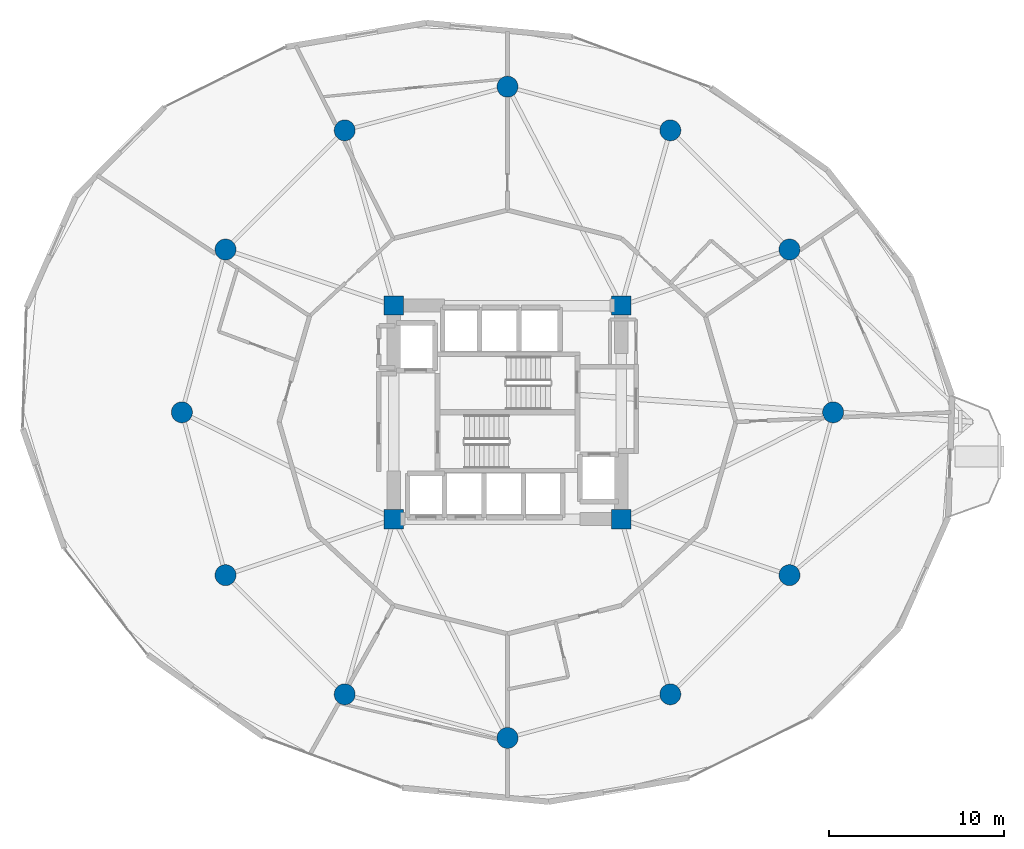
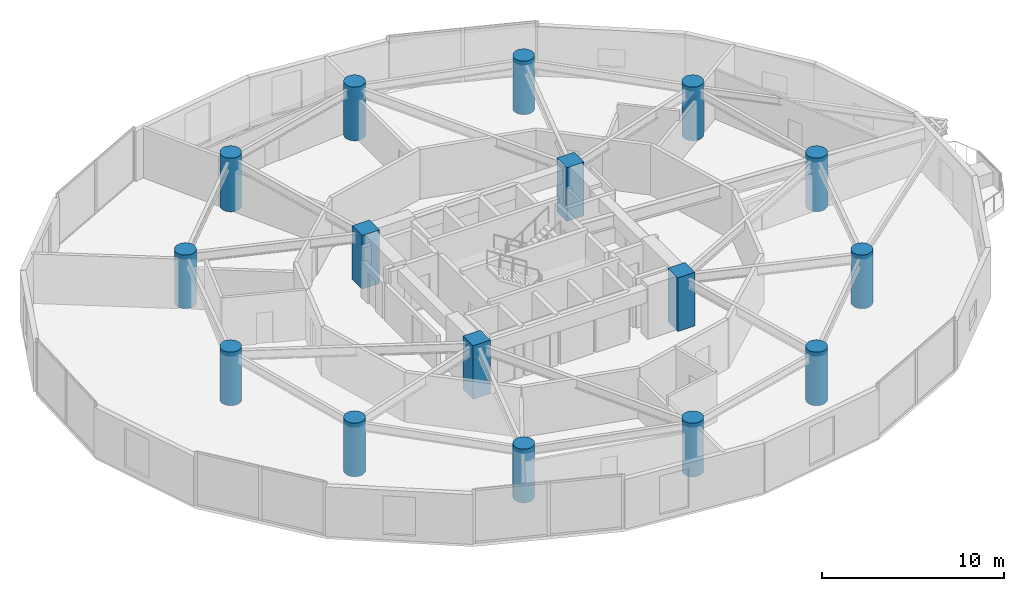
# One storey, part 1 of 22: 16 columns.
"""IFC4 building model written with IfcOpenShell, lengths in metres."""

from ifc_helpers import new_model, si_unit, direction, frame, origin, origin_2d, place, context, subcontext, project, spatial, rectangle, circle, extrude, material, material_profile, profile_set, type_object, element, save


model = new_model("IFC4")

# Units and contexts
model_context = context("Model", 3, precision=1e-05, world=origin(), true_north=direction((0.0, 1.0)))
body_context = subcontext(model_context, "Body", "Model", "MODEL_VIEW")
ifc_project = project(units=[si_unit("LENGTHUNIT", "METRE"), si_unit("AREAUNIT", "SQUARE_METRE"), si_unit("VOLUMEUNIT", "CUBIC_METRE"), si_unit("PLANEANGLEUNIT", "RADIAN"), si_unit("MASSUNIT", "GRAM", prefix="KILO")], contexts=[model_context])

# Site, building, storey
site_placement = place(None, origin())
site = spatial("IfcSite", under=ifc_project, at=site_placement, CompositionType="ELEMENT")
building_placement = place(site_placement, origin())
building = spatial("IfcBuilding", under=site, at=building_placement, Name="Solvirekh Grand Hotel", CompositionType="ELEMENT")
storey_placement = place(building_placement, frame((0.0, 0.0, 53.60009765625)))
storey = spatial("IfcBuildingStorey", under=building, at=storey_placement, Name="L12", CompositionType="ELEMENT", Elevation=53.60009765625)

# Columns
ifc_material = material(Name="Concrete C60/75", Category="concrete")
ifc_material_profile_1 = material_profile(ifc_material, rectangle(XDim=1.10009765625, YDim=1.10009765625, at=origin_2d()), Name="RC 1100X1100")
ifc_profile_set_1 = profile_set([ifc_material_profile_1], Name="Concrete C60/75")
column_type_1 = type_object("IfcColumnType", Name="Col_Core_1100", PredefinedType="COLUMN", material=ifc_profile_set_1)
for number, where, z_axis, x_axis, name in (
    (1, (-6.5, -6.10009765625, 0.0), (0.0, 0.0, 1.0), (1.0, 0.0, 0.0), "L12 core corner column CC1"),
    (2, (6.5, -6.10009765625, 0.0), (0.0, 0.0, 1.0), (1.0, 0.0, 0.0), "L12 core corner column CC2"),
    (3, (6.5, 6.10009765625, 0.0), (0.0, 0.0, 1.0), (1.0, 0.0, 0.0), "L12 core corner column CC3"),
    (4, (-6.5, 6.10009765625, 0.0), (0.0, 0.0, 1.0), (1.0, 0.0, 0.0), "L12 core corner column CC4"),
):
    element("IfcColumn", number, at=place(storey_placement, frame(where, z_axis=z_axis, x_axis=x_axis)), inside=storey, type_object=column_type_1, Name=name, PredefinedType="COLUMN", context=body_context, shape_type="SweptSolid", body=[
        extrude(rectangle(XDim=1.10009765625, YDim=1.10009765625, at=origin_2d()), origin(), (0.0, 0.0, 1.0), 3.599853515625),
    ])
ifc_material_profile_2 = material_profile(ifc_material, circle(Radius=0.60009765625, at=origin_2d()), Name="RC CIRC D1200")
ifc_profile_set_2 = profile_set([ifc_material_profile_2], Name="Concrete C60/75")
column_type_2 = type_object("IfcColumnType", Name="Col_Z1_D1200", PredefinedType="COLUMN", material=ifc_profile_set_2)
for number, where, z_axis, x_axis, name in (
    (5, (18.60009765625, 0.0, 0.0), (0.0, 0.0, 1.0), (1.0, 0.0, 0.0), "L12 perimeter column P01"),
    (6, (16.10791015625, 9.300048828125, 0.0), (0.0, 0.0, 1.0), (1.0, 0.0, 0.0), "L12 perimeter column P02"),
    (7, (9.300048828125, 16.10791015625, 0.0), (0.0, 0.0, 1.0), (1.0, 0.0, 0.0), "L12 perimeter column P03"),
    (8, (0.0, 18.60009765625, 0.0), (0.0, 0.0, 1.0), (1.0, 0.0, 0.0), "L12 perimeter column P04"),
    (9, (-9.300048828125, 16.10791015625, 0.0), (0.0, 0.0, 1.0), (1.0, 0.0, 0.0), "L12 perimeter column P05"),
    (10, (-16.10791015625, 9.300048828125, 0.0), (0.0, 0.0, 1.0), (1.0, 0.0, 0.0), "L12 perimeter column P06"),
    (11, (-18.60009765625, 0.0, 0.0), (0.0, 0.0, 1.0), (1.0, 0.0, 0.0), "L12 perimeter column P07"),
    (12, (-16.10791015625, -9.300048828125, 0.0), (0.0, 0.0, 1.0), (1.0, 0.0, 0.0), "L12 perimeter column P08"),
    (13, (-9.300048828125, -16.10791015625, 0.0), (0.0, 0.0, 1.0), (1.0, 0.0, 0.0), "L12 perimeter column P09"),
    (14, (0.0, -18.60009765625, 0.0), (0.0, 0.0, 1.0), (1.0, 0.0, 0.0), "L12 perimeter column P10"),
    (15, (9.300048828125, -16.10791015625, 0.0), (0.0, 0.0, 1.0), (1.0, 0.0, 0.0), "L12 perimeter column P11"),
    (16, (16.10791015625, -9.300048828125, 0.0), (0.0, 0.0, 1.0), (1.0, 0.0, 0.0), "L12 perimeter column P12"),
):
    element("IfcColumn", number, at=place(storey_placement, frame(where, z_axis=z_axis, x_axis=x_axis)), inside=storey, type_object=column_type_2, Name=name, PredefinedType="COLUMN", context=body_context, shape_type="SweptSolid", body=[
        extrude(circle(Radius=0.60009765625, at=origin_2d()), origin(), (0.0, 0.0, 1.0), 3.599853515625),
    ])

save(model, "model.ifc")
